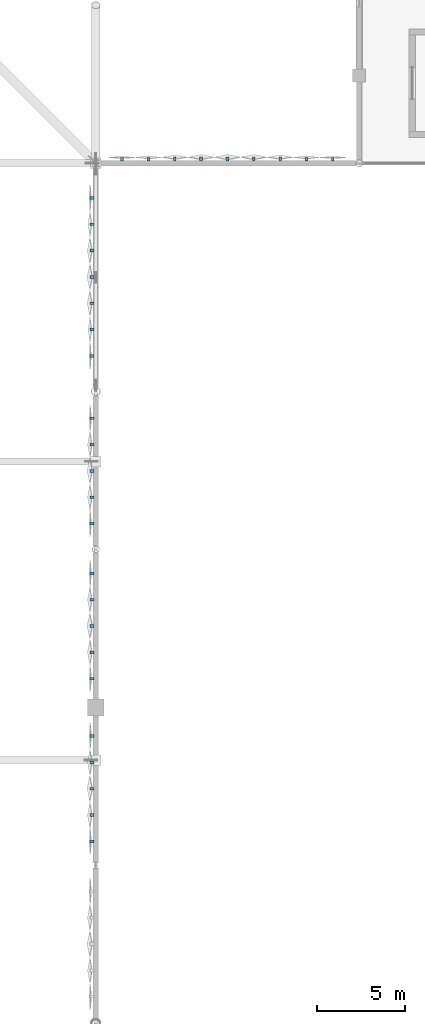
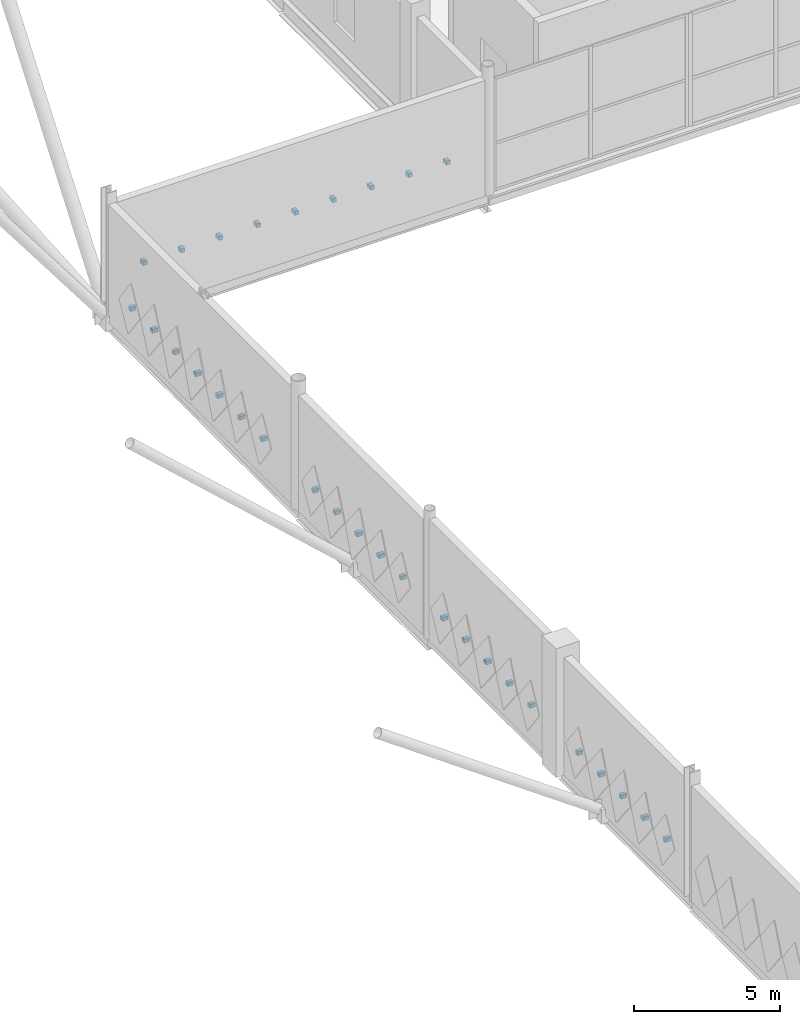
# One storey, part 103 of 119: 31 discrete accessories.
"""IFC4 building model written with IfcOpenShell, lengths in metres."""

from ifc_helpers import new_model, si_unit, direction, frame, origin, origin_2d, place, context, subcontext, project, spatial, rectangle, extrude, material, type_object, element, save


model = new_model("IFC4")

# Units and contexts
model_context = context("Model", 3, precision=1e-05, world=origin(), true_north=direction((0.0, 1.0)))
body_context = subcontext(model_context, "Body", "Model", "MODEL_VIEW")
ifc_project = project(units=[si_unit("LENGTHUNIT", "METRE"), si_unit("AREAUNIT", "SQUARE_METRE"), si_unit("VOLUMEUNIT", "CUBIC_METRE"), si_unit("PLANEANGLEUNIT", "RADIAN"), si_unit("MASSUNIT", "GRAM", prefix="KILO")], contexts=[model_context])

# Site, building, storey
site_placement = place(None, origin())
site = spatial("IfcSite", under=ifc_project, at=site_placement, CompositionType="ELEMENT")
building_placement = place(site_placement, origin())
building = spatial("IfcBuilding", under=site, at=building_placement, Name="Qamarlyn Nura Convention Centre", CompositionType="ELEMENT")
storey_placement = place(building_placement, frame((0.0, 0.0, 5.39990234375)))
storey = spatial("IfcBuildingStorey", under=building, at=storey_placement, Name="L01", CompositionType="ELEMENT", Elevation=5.39990234375)

# Discrete accessories
ifc_material = material(Name="Marine Grade 316 stainless steel", Category="steel")
discrete_accessory_type = type_object("IfcDiscreteAccessoryType", Name="ACC-TILE-BRK", PredefinedType="BRACKET", material=ifc_material)
discrete_accessory_1_placement = place(storey_placement, frame((-0.218994140625, 64.368896484375, 1.6201171875), z_axis=(0.0, 0.0, 1.0), x_axis=(-1.0, 0.0, 0.0)))
element("IfcDiscreteAccessory", 1, at=discrete_accessory_1_placement, inside=storey, type_object=discrete_accessory_type, Name="L01 diamond tile pivot bracket 0074", PredefinedType="BRACKET", context=body_context, shape_type="SweptSolid", body=[
    extrude(rectangle(XDim=0.218017578125, YDim=0.159912109375, at=origin_2d()), origin(), (0.0, 0.0, 1.0), 0.159912109375),
])
discrete_accessory_2_placement = place(storey_placement, frame((-0.224365234375, 65.868896484375, 1.6201171875), z_axis=(0.0, 0.0, 1.0), x_axis=(-1.0, 0.0, 0.0)))
element("IfcDiscreteAccessory", 2, at=discrete_accessory_2_placement, inside=storey, type_object=discrete_accessory_type, Name="L01 diamond tile pivot bracket 0075", PredefinedType="BRACKET", context=body_context, shape_type="SweptSolid", body=[
    extrude(rectangle(XDim=0.228515625, YDim=0.159912109375, at=origin_2d()), origin(), (0.0, 0.0, 1.0), 0.159912109375),
])
discrete_accessory_3_placement = place(storey_placement, frame((-0.2265625, 67.368896484375, 1.6201171875), z_axis=(0.0, 0.0, 1.0), x_axis=(-1.0, 0.0, 0.0)))
element("IfcDiscreteAccessory", 3, at=discrete_accessory_3_placement, inside=storey, type_object=discrete_accessory_type, Name="L01 diamond tile pivot bracket 0076", PredefinedType="BRACKET", context=body_context, shape_type="SweptSolid", body=[
    extrude(rectangle(XDim=0.23291015625, YDim=0.159912109375, at=origin_2d()), origin(), (0.0, 0.0, 1.0), 0.159912109375),
])
discrete_accessory_4_placement = place(storey_placement, frame((-0.224365234375, 68.868896484375, 1.6201171875), z_axis=(0.0, 0.0, 1.0), x_axis=(-1.0, 0.0, 0.0)))
element("IfcDiscreteAccessory", 4, at=discrete_accessory_4_placement, inside=storey, type_object=discrete_accessory_type, Name="L01 diamond tile pivot bracket 0077", PredefinedType="BRACKET", context=body_context, shape_type="SweptSolid", body=[
    extrude(rectangle(XDim=0.228515625, YDim=0.159912109375, at=origin_2d()), origin(), (0.0, 0.0, 1.0), 0.159912109375),
])
for number, where, z_axis, x_axis, name in (
    (5, (-0.218994140625, 70.368896484375, 1.6201171875), (0.0, 0.0, 1.0), (-1.0, 0.0, 0.0), "L01 diamond tile pivot bracket 0078"),
    (6, (-0.218994140625, 73.635986328125, 1.6201171875), (0.0, 0.0, 1.0), (-1.0, 0.0, 0.0), "L01 diamond tile pivot bracket 0079"),
):
    element("IfcDiscreteAccessory", number, at=place(storey_placement, frame(where, z_axis=z_axis, x_axis=x_axis)), inside=storey, type_object=discrete_accessory_type, Name=name, PredefinedType="BRACKET", context=body_context, shape_type="SweptSolid", body=[
        extrude(rectangle(XDim=0.218017578125, YDim=0.159912109375, at=origin_2d()), origin(), (0.0, 0.0, 1.0), 0.159912109375),
    ])
discrete_accessory_5_placement = place(storey_placement, frame((-0.224365234375, 75.135986328125, 1.6201171875), z_axis=(0.0, 0.0, 1.0), x_axis=(-1.0, 0.0, 0.0)))
element("IfcDiscreteAccessory", 7, at=discrete_accessory_5_placement, inside=storey, type_object=discrete_accessory_type, Name="L01 diamond tile pivot bracket 0080", PredefinedType="BRACKET", context=body_context, shape_type="SweptSolid", body=[
    extrude(rectangle(XDim=0.228515625, YDim=0.159912109375, at=origin_2d()), origin(), (0.0, 0.0, 1.0), 0.159912109375),
])
discrete_accessory_6_placement = place(storey_placement, frame((-0.2265625, 76.635986328125, 1.6201171875), z_axis=(0.0, 0.0, 1.0), x_axis=(-1.0, 0.0, 0.0)))
element("IfcDiscreteAccessory", 8, at=discrete_accessory_6_placement, inside=storey, type_object=discrete_accessory_type, Name="L01 diamond tile pivot bracket 0081", PredefinedType="BRACKET", context=body_context, shape_type="SweptSolid", body=[
    extrude(rectangle(XDim=0.23291015625, YDim=0.159912109375, at=origin_2d()), origin(), (0.0, 0.0, 1.0), 0.159912109375),
])
discrete_accessory_7_placement = place(storey_placement, frame((-0.224365234375, 78.135986328125, 1.6201171875), z_axis=(0.0, 0.0, 1.0), x_axis=(-1.0, 0.0, 0.0)))
element("IfcDiscreteAccessory", 9, at=discrete_accessory_7_placement, inside=storey, type_object=discrete_accessory_type, Name="L01 diamond tile pivot bracket 0082", PredefinedType="BRACKET", context=body_context, shape_type="SweptSolid", body=[
    extrude(rectangle(XDim=0.228515625, YDim=0.159912109375, at=origin_2d()), origin(), (0.0, 0.0, 1.0), 0.159912109375),
])
for number, where, z_axis, x_axis, name in (
    (10, (-0.218994140625, 79.635986328125, 1.6201171875), (0.0, 0.0, 1.0), (-1.0, 0.0, 0.0), "L01 diamond tile pivot bracket 0083"),
    (11, (-0.218994140625, 82.474609375, 1.6201171875), (0.0, 0.0, 1.0), (-1.0, 0.0, 0.0), "L01 diamond tile pivot bracket 0084"),
):
    element("IfcDiscreteAccessory", number, at=place(storey_placement, frame(where, z_axis=z_axis, x_axis=x_axis)), inside=storey, type_object=discrete_accessory_type, Name=name, PredefinedType="BRACKET", context=body_context, shape_type="SweptSolid", body=[
        extrude(rectangle(XDim=0.218017578125, YDim=0.159912109375, at=origin_2d()), origin(), (0.0, 0.0, 1.0), 0.159912109375),
    ])
discrete_accessory_8_placement = place(storey_placement, frame((-0.224365234375, 83.974609375, 1.6201171875), z_axis=(0.0, 0.0, 1.0), x_axis=(-1.0, 0.0, 0.0)))
element("IfcDiscreteAccessory", 12, at=discrete_accessory_8_placement, inside=storey, type_object=discrete_accessory_type, Name="L01 diamond tile pivot bracket 0085", PredefinedType="BRACKET", context=body_context, shape_type="SweptSolid", body=[
    extrude(rectangle(XDim=0.228515625, YDim=0.159912109375, at=origin_2d()), origin(), (0.0, 0.0, 1.0), 0.159912109375),
])
discrete_accessory_9_placement = place(storey_placement, frame((-0.2265625, 85.474609375, 1.6201171875), z_axis=(0.0, 0.0, 1.0), x_axis=(-1.0, 0.0, 0.0)))
element("IfcDiscreteAccessory", 13, at=discrete_accessory_9_placement, inside=storey, type_object=discrete_accessory_type, Name="L01 diamond tile pivot bracket 0086", PredefinedType="BRACKET", context=body_context, shape_type="SweptSolid", body=[
    extrude(rectangle(XDim=0.23291015625, YDim=0.159912109375, at=origin_2d()), origin(), (0.0, 0.0, 1.0), 0.159912109375),
])
discrete_accessory_10_placement = place(storey_placement, frame((-0.224365234375, 86.974609375, 1.6201171875), z_axis=(0.0, 0.0, 1.0), x_axis=(-1.0, 0.0, 0.0)))
element("IfcDiscreteAccessory", 14, at=discrete_accessory_10_placement, inside=storey, type_object=discrete_accessory_type, Name="L01 diamond tile pivot bracket 0087", PredefinedType="BRACKET", context=body_context, shape_type="SweptSolid", body=[
    extrude(rectangle(XDim=0.228515625, YDim=0.159912109375, at=origin_2d()), origin(), (0.0, 0.0, 1.0), 0.159912109375),
])
discrete_accessory_11_placement = place(storey_placement, frame((-0.218994140625, 88.474609375, 1.6201171875), z_axis=(0.0, 0.0, 1.0), x_axis=(-1.0, 0.0, 0.0)))
element("IfcDiscreteAccessory", 15, at=discrete_accessory_11_placement, inside=storey, type_object=discrete_accessory_type, Name="L01 diamond tile pivot bracket 0088", PredefinedType="BRACKET", context=body_context, shape_type="SweptSolid", body=[
    extrude(rectangle(XDim=0.218017578125, YDim=0.159912109375, at=origin_2d()), origin(), (0.0, 0.0, 1.0), 0.159912109375),
])
discrete_accessory_12_placement = place(storey_placement, frame((-0.217529296875, 92.020751953125, 1.6201171875), z_axis=(0.0, 0.0, 1.0), x_axis=(-1.0, 0.0, 0.0)))
element("IfcDiscreteAccessory", 16, at=discrete_accessory_12_placement, inside=storey, type_object=discrete_accessory_type, Name="L01 diamond tile pivot bracket 0089", PredefinedType="BRACKET", context=body_context, shape_type="SweptSolid", body=[
    extrude(rectangle(XDim=0.215087890625, YDim=0.159912109375, at=origin_2d()), origin(), (0.0, 0.0, 1.0), 0.159912109375),
])
discrete_accessory_13_placement = place(storey_placement, frame((-0.22119140625, 93.520751953125, 1.6201171875), z_axis=(0.0, 0.0, 1.0), x_axis=(-1.0, 0.0, 0.0)))
element("IfcDiscreteAccessory", 17, at=discrete_accessory_13_placement, inside=storey, type_object=discrete_accessory_type, Name="L01 diamond tile pivot bracket 0090", PredefinedType="BRACKET", context=body_context, shape_type="SweptSolid", body=[
    extrude(rectangle(XDim=0.222412109375, YDim=0.159912109375, at=origin_2d()), origin(), (0.0, 0.0, 1.0), 0.159912109375),
])
for number, where, z_axis, x_axis, name in (
    (18, (-0.2265625, 95.020751953125, 1.6201171875), (0.0, 0.0, 1.0), (-1.0, 0.0, 0.0), "L01 diamond tile pivot bracket 0091"),
    (19, (-0.2265625, 96.520751953125, 1.6201171875), (0.0, 0.0, 1.0), (-1.0, 0.0, 0.0), "L01 diamond tile pivot bracket 0092"),
    (20, (-0.2265625, 98.020751953125, 1.6201171875), (0.0, 0.0, 1.0), (-1.0, 0.0, 0.0), "L01 diamond tile pivot bracket 0093"),
):
    element("IfcDiscreteAccessory", number, at=place(storey_placement, frame(where, z_axis=z_axis, x_axis=x_axis)), inside=storey, type_object=discrete_accessory_type, Name=name, PredefinedType="BRACKET", context=body_context, shape_type="SweptSolid", body=[
        extrude(rectangle(XDim=0.23291015625, YDim=0.159912109375, at=origin_2d()), origin(), (0.0, 0.0, 1.0), 0.159912109375),
    ])
discrete_accessory_14_placement = place(storey_placement, frame((-0.22119140625, 99.520751953125, 1.6201171875), z_axis=(0.0, 0.0, 1.0), x_axis=(-1.0, 0.0, 0.0)))
element("IfcDiscreteAccessory", 21, at=discrete_accessory_14_placement, inside=storey, type_object=discrete_accessory_type, Name="L01 diamond tile pivot bracket 0094", PredefinedType="BRACKET", context=body_context, shape_type="SweptSolid", body=[
    extrude(rectangle(XDim=0.222412109375, YDim=0.159912109375, at=origin_2d()), origin(), (0.0, 0.0, 1.0), 0.159912109375),
])
for number, where, z_axis, x_axis, name in (
    (22, (-0.217529296875, 101.020751953125, 1.6201171875), (0.0, 0.0, 1.0), (-1.0, 0.0, 0.0), "L01 diamond tile pivot bracket 0095"),
    (23, (1.50048828125, 103.217529296875, 1.6201171875), (0.0, 0.0, 1.0), (0.0, 1.0, 0.0), "L01 diamond tile pivot bracket 0132"),
):
    element("IfcDiscreteAccessory", number, at=place(storey_placement, frame(where, z_axis=z_axis, x_axis=x_axis)), inside=storey, type_object=discrete_accessory_type, Name=name, PredefinedType="BRACKET", context=body_context, shape_type="SweptSolid", body=[
        extrude(rectangle(XDim=0.215087890625, YDim=0.159912109375, at=origin_2d()), origin(), (0.0, 0.0, 1.0), 0.159912109375),
    ])
discrete_accessory_15_placement = place(storey_placement, frame((3.00048828125, 103.2197265625, 1.6201171875), z_axis=(0.0, 0.0, 1.0), x_axis=(0.0, 1.0, 0.0)))
element("IfcDiscreteAccessory", 24, at=discrete_accessory_15_placement, inside=storey, type_object=discrete_accessory_type, Name="L01 diamond tile pivot bracket 0133", PredefinedType="BRACKET", context=body_context, shape_type="SweptSolid", body=[
    extrude(rectangle(XDim=0.219482421875, YDim=0.159912109375, at=origin_2d()), origin(), (0.0, 0.0, 1.0), 0.159912109375),
])
discrete_accessory_16_placement = place(storey_placement, frame((4.500732421875, 103.224365234375, 1.6201171875), z_axis=(0.0, 0.0, 1.0), x_axis=(0.0, 1.0, 0.0)))
element("IfcDiscreteAccessory", 25, at=discrete_accessory_16_placement, inside=storey, type_object=discrete_accessory_type, Name="L01 diamond tile pivot bracket 0134", PredefinedType="BRACKET", context=body_context, shape_type="SweptSolid", body=[
    extrude(rectangle(XDim=0.228515625, YDim=0.159912109375, at=origin_2d()), origin(), (0.0, 0.0, 1.0), 0.159912109375),
])
for number, where, z_axis, x_axis, name in (
    (26, (6.000732421875, 103.2265625, 1.6201171875), (0.0, 0.0, 1.0), (0.0, 1.0, 0.0), "L01 diamond tile pivot bracket 0135"),
    (27, (7.500732421875, 103.2265625, 1.6201171875), (0.0, 0.0, 1.0), (0.0, 1.0, 0.0), "L01 diamond tile pivot bracket 0136"),
    (28, (9.000732421875, 103.2265625, 1.6201171875), (0.0, 0.0, 1.0), (0.0, 1.0, 0.0), "L01 diamond tile pivot bracket 0137"),
):
    element("IfcDiscreteAccessory", number, at=place(storey_placement, frame(where, z_axis=z_axis, x_axis=x_axis)), inside=storey, type_object=discrete_accessory_type, Name=name, PredefinedType="BRACKET", context=body_context, shape_type="SweptSolid", body=[
        extrude(rectangle(XDim=0.23291015625, YDim=0.159912109375, at=origin_2d()), origin(), (0.0, 0.0, 1.0), 0.159912109375),
    ])
discrete_accessory_17_placement = place(storey_placement, frame((10.500732421875, 103.224365234375, 1.6201171875), z_axis=(0.0, 0.0, 1.0), x_axis=(0.0, 1.0, 0.0)))
element("IfcDiscreteAccessory", 29, at=discrete_accessory_17_placement, inside=storey, type_object=discrete_accessory_type, Name="L01 diamond tile pivot bracket 0138", PredefinedType="BRACKET", context=body_context, shape_type="SweptSolid", body=[
    extrude(rectangle(XDim=0.228515625, YDim=0.159912109375, at=origin_2d()), origin(), (0.0, 0.0, 1.0), 0.159912109375),
])
discrete_accessory_18_placement = place(storey_placement, frame((12.000732421875, 103.2197265625, 1.6201171875), z_axis=(0.0, 0.0, 1.0), x_axis=(0.0, 1.0, 0.0)))
element("IfcDiscreteAccessory", 30, at=discrete_accessory_18_placement, inside=storey, type_object=discrete_accessory_type, Name="L01 diamond tile pivot bracket 0139", PredefinedType="BRACKET", context=body_context, shape_type="SweptSolid", body=[
    extrude(rectangle(XDim=0.219482421875, YDim=0.159912109375, at=origin_2d()), origin(), (0.0, 0.0, 1.0), 0.159912109375),
])
discrete_accessory_19_placement = place(storey_placement, frame((13.500732421875, 103.217529296875, 1.6201171875), z_axis=(0.0, 0.0, 1.0), x_axis=(0.0, 1.0, 0.0)))
element("IfcDiscreteAccessory", 31, at=discrete_accessory_19_placement, inside=storey, type_object=discrete_accessory_type, Name="L01 diamond tile pivot bracket 0140", PredefinedType="BRACKET", context=body_context, shape_type="SweptSolid", body=[
    extrude(rectangle(XDim=0.215087890625, YDim=0.159912109375, at=origin_2d()), origin(), (0.0, 0.0, 1.0), 0.159912109375),
])

save(model, "model.ifc")
